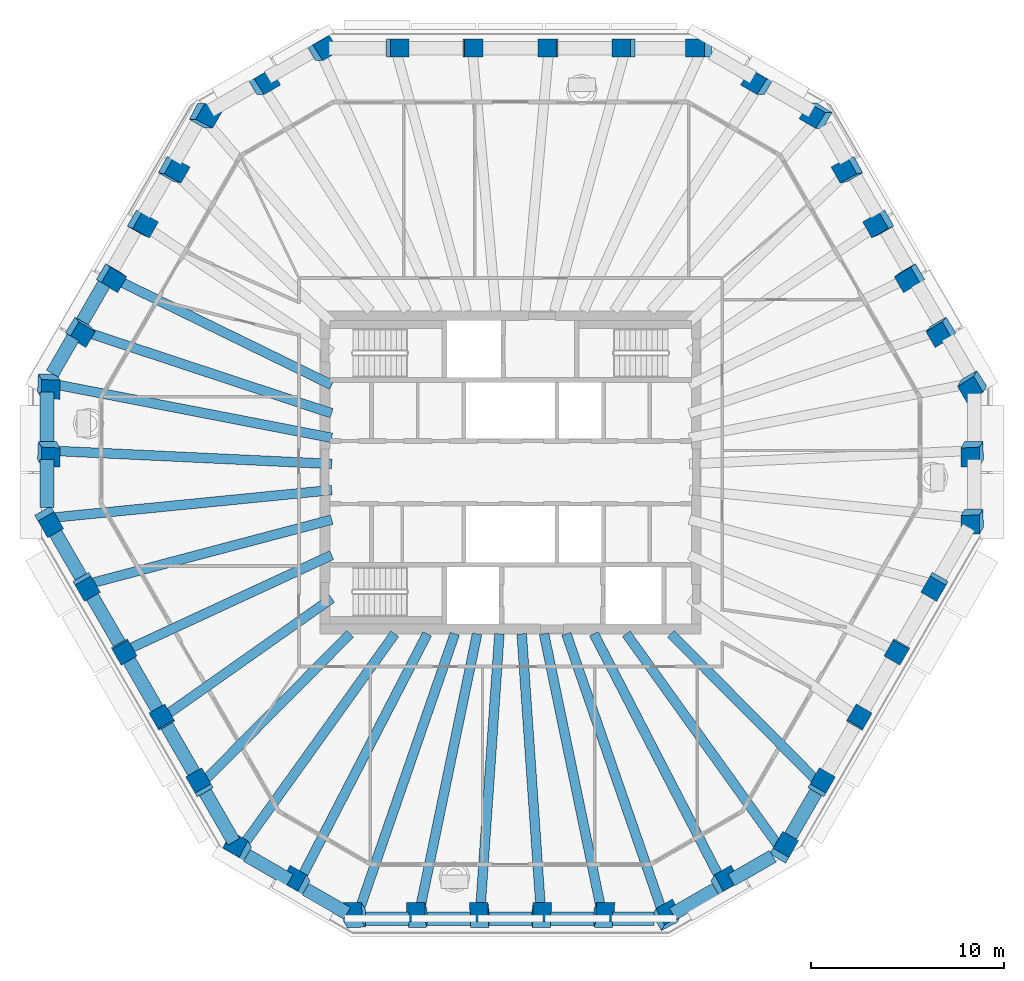
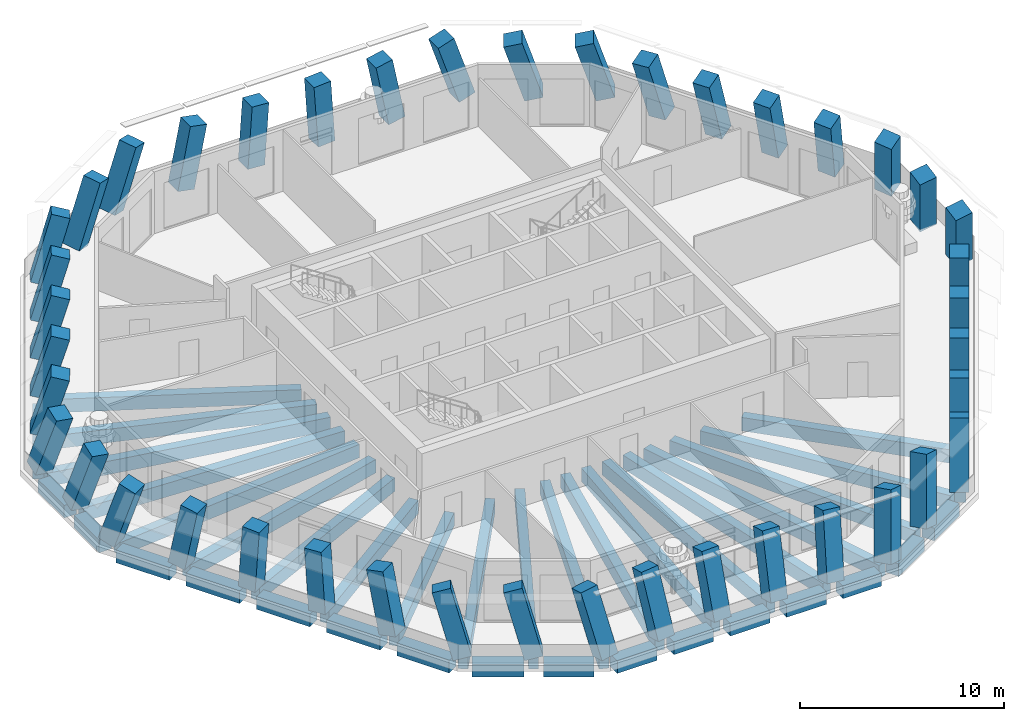
# One storey, part 1 of 11: 42 columns, 39 beams.
"""IFC4 building model written with IfcOpenShell, lengths in metres."""

from ifc_helpers import new_model, si_unit, direction, frame, origin, origin_2d, place, context, subcontext, project, spatial, rectangle, extrude, material, material_profile, profile_set, type_object, element, save


model = new_model("IFC4")

# Units and contexts
model_context = context("Model", 3, precision=1e-05, world=origin(), true_north=direction((0.0, 1.0)))
body_context = subcontext(model_context, "Body", "Model", "MODEL_VIEW")
ifc_project = project(units=[si_unit("LENGTHUNIT", "METRE"), si_unit("AREAUNIT", "SQUARE_METRE"), si_unit("VOLUMEUNIT", "CUBIC_METRE"), si_unit("PLANEANGLEUNIT", "RADIAN"), si_unit("MASSUNIT", "GRAM", prefix="KILO")], contexts=[model_context])

# Site, building, storey
site_placement = place(None, origin())
site = spatial("IfcSite", under=ifc_project, at=site_placement, CompositionType="ELEMENT")
building_placement = place(site_placement, origin())
building = spatial("IfcBuilding", under=site, at=building_placement, Name="Frailejon Research Tower", CompositionType="ELEMENT")
storey_placement = place(building_placement, frame((0.0, 0.0, 299.0)))
storey = spatial("IfcBuildingStorey", under=building, at=storey_placement, Name="L66", CompositionType="ELEMENT", Elevation=299.0)

# Columns
ifc_material_1 = material(Name="Concrete C50/60", Category="concrete")
ifc_material_profile_1 = material_profile(ifc_material_1, rectangle(XDim=0.949951171875, YDim=0.949951171875, at=origin_2d()), Name="Column 950")
ifc_profile_set_1 = profile_set([ifc_material_profile_1], Name="Concrete C50/60")
column_type = type_object("IfcColumnType", Name="Column 950", PredefinedType="COLUMN", material=ifc_profile_set_1)
for number, where, z_axis, x_axis, name in (
    (1, (23.97705078125, -2.37060546875, 0.0), (-0.155252897451, -0.268871239651, 0.950581292853), (-0.043271278132, 0.963176127262, 0.265366434128), "Column C01"),
    (2, (23.97705078125, 1.13134765625, 0.0), (-0.155252897451, -0.268871239651, 0.950581292853), (-0.043307450852, 0.963176129035, 0.26536052675), "Column C02"),
    (3, (23.97705078125, 4.63330078125, 0.0), (-0.155252897451, -0.268871239651, 0.950581292853), (-0.53050397416, 0.834418349942, 0.149370514765), "Column C03"),
):
    element("IfcColumn", number, at=place(storey_placement, frame(where, z_axis=z_axis, x_axis=x_axis)), inside=storey, type_object=column_type, Name=name, PredefinedType="COLUMN", context=body_context, shape_type="SweptSolid", body=[
        extrude(rectangle(XDim=0.949951171875, YDim=0.949951171875, at=origin_2d()), origin(), (0.0, 0.0, 1.0), 3.8291015625),
    ])
column_1_placement = place(storey_placement, frame((22.3818359375, 7.396240234375, 0.0), z_axis=(-0.187758226885, -0.216738021658, 0.958003903022), x_axis=(-0.519767268221, 0.849519403482, 0.090325909867)))
element("IfcColumn", 4, at=column_1_placement, inside=storey, type_object=column_type, Name="Column C04", PredefinedType="COLUMN", context=body_context, shape_type="SweptSolid", body=[
    extrude(rectangle(XDim=0.949951171875, YDim=0.949951171875, at=origin_2d()), origin(), (0.0, 0.0, 1.0), 3.799560546875),
])
for number, where, z_axis, x_axis, name in (
    (5, (20.78662109375, 10.1591796875, 0.0), (-0.219889345571, -0.163212191256, 0.961774639055), (-0.5071044007, 0.861354244698, 0.030232299479), "Column C05"),
    (6, (19.19140625, 12.922119140625, 0.0), (-0.251285171955, -0.108787308186, 0.961780164036), (-0.492312585275, 0.869893259925, -0.03023300706), "Column C06"),
):
    element("IfcColumn", number, at=place(storey_placement, frame(where, z_axis=z_axis, x_axis=x_axis)), inside=storey, type_object=column_type, Name=name, PredefinedType="COLUMN", context=body_context, shape_type="SweptSolid", body=[
        extrude(rectangle(XDim=0.949951171875, YDim=0.949951171875, at=origin_2d()), origin(), (0.0, 0.0, 1.0), 3.794921875),
    ])
column_2_placement = place(storey_placement, frame((17.59619140625, 15.68505859375, 0.0), z_axis=(-0.281574618215, -0.054168736457, 0.958009124366), x_axis=(-0.47558599124, 0.875021577667, -0.090306165648)))
element("IfcColumn", 7, at=column_2_placement, inside=storey, type_object=column_type, Name="Column C07", PredefinedType="COLUMN", context=body_context, shape_type="SweptSolid", body=[
    extrude(rectangle(XDim=0.949951171875, YDim=0.949951171875, at=origin_2d()), origin(), (0.0, 0.0, 1.0), 3.79931640625),
])
for number, where, z_axis, x_axis, name in (
    (8, (16.001220703125, 18.447998046875, 0.0), (-0.310502900564, 0.0, 0.950572432138), (-0.812458496248, 0.519114908233, -0.265388213611), "Column C08"),
    (9, (12.96826171875, 20.198974609375, 0.0), (-0.310445287626, 0.0, 0.950591249376), (-0.812474579426, 0.519114908233, -0.265338971576), "Column C09"),
    (10, (9.935546875, 21.949951171875, 0.0), (-0.310502900564, 0.0, 0.950572432138), (-0.950572432138, 0.0, -0.310502900564), "Column C10"),
):
    element("IfcColumn", number, at=place(storey_placement, frame(where, z_axis=z_axis, x_axis=x_axis)), inside=storey, type_object=column_type, Name=name, PredefinedType="COLUMN", context=body_context, shape_type="SweptSolid", body=[
        extrude(rectangle(XDim=0.949951171875, YDim=0.949951171875, at=origin_2d()), origin(), (0.0, 0.0, 1.0), 3.8291015625),
    ])
column_3_placement = place(storey_placement, frame((5.961181640625, 21.949951171875, 0.0), z_axis=(-0.192266559701, 0.0, 0.981342738303), x_axis=(-0.981342738303, 0.0, -0.192266559701)))
element("IfcColumn", 11, at=column_3_placement, inside=storey, type_object=column_type, Name="Column C11", PredefinedType="COLUMN", context=body_context, shape_type="SweptSolid", body=[
    extrude(rectangle(XDim=0.949951171875, YDim=0.949951171875, at=origin_2d()), origin(), (0.0, 0.0, 1.0), 3.708984375),
])
for number, where, z_axis, x_axis, name in (
    (12, (1.987060546875, 21.949951171875, 0.0), (-0.065190698942, 0.0, 0.997872823947), (-0.997872823947, 0.0, -0.065190698942), "Column C12"),
    (13, (-1.987060546875, 21.949951171875, 0.0), (0.065190698942, 0.0, 0.997872823947), (-0.997872823947, 0.0, 0.065190698942), "Column C13"),
):
    element("IfcColumn", number, at=place(storey_placement, frame(where, z_axis=z_axis, x_axis=x_axis)), inside=storey, type_object=column_type, Name=name, PredefinedType="COLUMN", context=body_context, shape_type="SweptSolid", body=[
        extrude(rectangle(XDim=0.949951171875, YDim=0.949951171875, at=origin_2d()), origin(), (0.0, 0.0, 1.0), 3.647705078125),
    ])
column_4_placement = place(storey_placement, frame((-5.961181640625, 21.949951171875, 0.0), z_axis=(0.192266559701, 0.0, 0.981342738303), x_axis=(-0.981342738303, 0.0, 0.192266559701)))
element("IfcColumn", 14, at=column_4_placement, inside=storey, type_object=column_type, Name="Column C14", PredefinedType="COLUMN", context=body_context, shape_type="SweptSolid", body=[
    extrude(rectangle(XDim=0.949951171875, YDim=0.949951171875, at=origin_2d()), origin(), (0.0, 0.0, 1.0), 3.708984375),
])
for number, where, z_axis, x_axis, name in (
    (15, (-9.935546875, 21.949951171875, 0.0), (0.310502900564, 0.0, 0.950572432138), (-0.812458496248, -0.519114908233, 0.265388213611), "Column C15"),
    (16, (-12.96826171875, 20.198974609375, 0.0), (0.310445287626, 0.0, 0.950591249376), (-0.812474579426, -0.519114908233, 0.265338971576), "Column C16"),
    (17, (-16.001220703125, 18.447998046875, 0.0), (0.310502900564, 0.0, 0.950572432138), (-0.457344112796, -0.876652031075, 0.149390692154), "Column C17"),
):
    element("IfcColumn", number, at=place(storey_placement, frame(where, z_axis=z_axis, x_axis=x_axis)), inside=storey, type_object=column_type, Name=name, PredefinedType="COLUMN", context=body_context, shape_type="SweptSolid", body=[
        extrude(rectangle(XDim=0.949951171875, YDim=0.949951171875, at=origin_2d()), origin(), (0.0, 0.0, 1.0), 3.8291015625),
    ])
column_5_placement = place(storey_placement, frame((-17.59619140625, 15.68505859375, 0.0), z_axis=(0.281574618215, -0.054168736457, 0.958009124366), x_axis=(-0.47558599124, -0.875021577667, 0.090306165648)))
element("IfcColumn", 18, at=column_5_placement, inside=storey, type_object=column_type, Name="Column C18", PredefinedType="COLUMN", context=body_context, shape_type="SweptSolid", body=[
    extrude(rectangle(XDim=0.949951171875, YDim=0.949951171875, at=origin_2d()), origin(), (0.0, 0.0, 1.0), 3.79931640625),
])
for number, where, z_axis, x_axis, name in (
    (19, (-19.19140625, 12.922119140625, 0.0), (0.251285171955, -0.108787308186, 0.961780164036), (-0.492312585275, -0.869893259925, 0.03023300706), "Column C19"),
    (20, (-20.78662109375, 10.1591796875, 0.0), (0.219889345571, -0.163212191256, 0.961774639055), (-0.5071044007, -0.861354244698, -0.030232299479), "Column C20"),
):
    element("IfcColumn", number, at=place(storey_placement, frame(where, z_axis=z_axis, x_axis=x_axis)), inside=storey, type_object=column_type, Name=name, PredefinedType="COLUMN", context=body_context, shape_type="SweptSolid", body=[
        extrude(rectangle(XDim=0.949951171875, YDim=0.949951171875, at=origin_2d()), origin(), (0.0, 0.0, 1.0), 3.794921875),
    ])
column_6_placement = place(storey_placement, frame((-22.3818359375, 7.396240234375, 0.0), z_axis=(0.187758226885, -0.216738021658, 0.958003903022), x_axis=(-0.519767268221, -0.849519403482, -0.090325909867)))
element("IfcColumn", 21, at=column_6_placement, inside=storey, type_object=column_type, Name="Column C21", PredefinedType="COLUMN", context=body_context, shape_type="SweptSolid", body=[
    extrude(rectangle(XDim=0.949951171875, YDim=0.949951171875, at=origin_2d()), origin(), (0.0, 0.0, 1.0), 3.799560546875),
])
for number, where, z_axis, x_axis, name in (
    (22, (-23.97705078125, 4.63330078125, 0.0), (0.155252897451, -0.268871239651, 0.950581292853), (-0.043307450852, -0.963176129035, -0.26536052675), "Column C22"),
    (23, (-23.97705078125, 1.13134765625, 0.0), (0.155252897451, -0.268871239651, 0.950581292853), (-0.043307450852, -0.963176129035, -0.26536052675), "Column C23"),
    (24, (-23.97705078125, -2.37060546875, 0.0), (0.155252897451, -0.268871239651, 0.950581292853), (0.475345673874, -0.823195775415, -0.310475773077), "Column C24"),
):
    element("IfcColumn", number, at=place(storey_placement, frame(where, z_axis=z_axis, x_axis=x_axis)), inside=storey, type_object=column_type, Name=name, PredefinedType="COLUMN", context=body_context, shape_type="SweptSolid", body=[
        extrude(rectangle(XDim=0.949951171875, YDim=0.949951171875, at=origin_2d()), origin(), (0.0, 0.0, 1.0), 3.8291015625),
    ])
column_7_placement = place(storey_placement, frame((-21.989990234375, -5.8125, 0.0), z_axis=(0.096165528476, -0.166528943905, 0.981335978131), x_axis=(0.490749060083, -0.849815075181, -0.192301060902)))
element("IfcColumn", 25, at=column_7_placement, inside=storey, type_object=column_type, Name="Column C25", PredefinedType="COLUMN", context=body_context, shape_type="SweptSolid", body=[
    extrude(rectangle(XDim=0.949951171875, YDim=0.949951171875, at=origin_2d()), origin(), (0.0, 0.0, 1.0), 3.709228515625),
])
for number, where, z_axis, x_axis, name in (
    (26, (-20.002685546875, -9.254150390625, 0.0), (0.032528551975, -0.05642298213, 0.997876916455), (0.498550874941, -0.864410415038, -0.065128023684), "Column C26"),
    (27, (-18.015625, -12.69580078125, 0.0), (-0.032595412113, 0.056422859161, 0.997874741675), (0.499318800947, -0.863964545124, 0.065161336616), "Column C27"),
):
    element("IfcColumn", number, at=place(storey_placement, frame(where, z_axis=z_axis, x_axis=x_axis)), inside=storey, type_object=column_type, Name=name, PredefinedType="COLUMN", context=body_context, shape_type="SweptSolid", body=[
        extrude(rectangle(XDim=0.949951171875, YDim=0.949951171875, at=origin_2d()), origin(), (0.0, 0.0, 1.0), 3.647705078125),
    ])
column_8_placement = place(storey_placement, frame((-16.028564453125, -16.1376953125, 0.0), z_axis=(-0.096165528476, 0.166528943905, 0.981335978131), x_axis=(0.490749060083, -0.849815075181, 0.192301060902)))
element("IfcColumn", 28, at=column_8_placement, inside=storey, type_object=column_type, Name="Column C28", PredefinedType="COLUMN", context=body_context, shape_type="SweptSolid", body=[
    extrude(rectangle(XDim=0.949951171875, YDim=0.949951171875, at=origin_2d()), origin(), (0.0, 0.0, 1.0), 3.709228515625),
])
for number, where, z_axis, x_axis, name in (
    (29, (-14.04150390625, -19.579345703125, 0.0), (-0.155252897451, 0.268871239651, 0.950581292853), (0.85582968957, -0.444002072432, 0.265363339832), "Column C29"),
    (30, (-11.0087890625, -21.330322265625, 0.0), (-0.155190674447, 0.268873900634, 0.950590700629), (0.855754726117, -0.444161245907, 0.265338720059), "Column C30"),
    (31, (-7.975830078125, -23.081298828125, 0.0), (-0.155252897451, 0.268871239651, 0.950581292853), (0.987874757916, 0.042277304746, 0.149385716105), "Column C31"),
):
    element("IfcColumn", number, at=place(storey_placement, frame(where, z_axis=z_axis, x_axis=x_axis)), inside=storey, type_object=column_type, Name=name, PredefinedType="COLUMN", context=body_context, shape_type="SweptSolid", body=[
        extrude(rectangle(XDim=0.949951171875, YDim=0.949951171875, at=origin_2d()), origin(), (0.0, 0.0, 1.0), 3.8291015625),
    ])
column_9_placement = place(storey_placement, frame((-4.78564453125, -23.081298828125, 0.0), z_axis=(-0.093814958179, 0.270971012766, 0.958004939373), x_axis=(0.995589636542, 0.025368498159, 0.090320069261)))
element("IfcColumn", 32, at=column_9_placement, inside=storey, type_object=column_type, Name="Column C32", PredefinedType="COLUMN", context=body_context, shape_type="SweptSolid", body=[
    extrude(rectangle(XDim=0.949951171875, YDim=0.949951171875, at=origin_2d()), origin(), (0.0, 0.0, 1.0), 3.799560546875),
])
for number, where, z_axis, x_axis, name in (
    (33, (-1.59521484375, -23.081298828125, 0.0), (-0.031394705428, 0.272001669159, 0.961784520797), (0.999507064551, 0.008524757879, 0.030215168641), "Column C33"),
    (34, (1.59521484375, -23.081298828125, 0.0), (0.031394705428, 0.272001669159, 0.961784520797), (0.999507064551, -0.008524757879, -0.030215168641), "Column C34"),
):
    element("IfcColumn", number, at=place(storey_placement, frame(where, z_axis=z_axis, x_axis=x_axis)), inside=storey, type_object=column_type, Name=name, PredefinedType="COLUMN", context=body_context, shape_type="SweptSolid", body=[
        extrude(rectangle(XDim=0.949951171875, YDim=0.949951171875, at=origin_2d()), origin(), (0.0, 0.0, 1.0), 3.794921875),
    ])
column_10_placement = place(storey_placement, frame((4.78564453125, -23.081298828125, 0.0), z_axis=(0.093814958179, 0.270971012766, 0.958004939373), x_axis=(0.995589636542, -0.025368498159, -0.090320069261)))
element("IfcColumn", 35, at=column_10_placement, inside=storey, type_object=column_type, Name="Column C35", PredefinedType="COLUMN", context=body_context, shape_type="SweptSolid", body=[
    extrude(rectangle(XDim=0.949951171875, YDim=0.949951171875, at=origin_2d()), origin(), (0.0, 0.0, 1.0), 3.799560546875),
])
for number, where, z_axis, x_axis, name in (
    (36, (7.975830078125, -23.081298828125, 0.0), (0.155252897451, 0.268871239651, 0.950581292853), (0.855809020967, 0.444037875062, -0.265370090897), "Column C36"),
    (37, (11.0087890625, -21.330322265625, 0.0), (0.155190674447, 0.268873900634, 0.950590700629), (0.855754726117, 0.444161245907, -0.265338720059), "Column C37"),
    (38, (14.04150390625, -19.579345703125, 0.0), (0.155252897451, 0.268871239651, 0.950581292853), (0.475345673874, 0.823195775415, -0.310475773077), "Column C38"),
):
    element("IfcColumn", number, at=place(storey_placement, frame(where, z_axis=z_axis, x_axis=x_axis)), inside=storey, type_object=column_type, Name=name, PredefinedType="COLUMN", context=body_context, shape_type="SweptSolid", body=[
        extrude(rectangle(XDim=0.949951171875, YDim=0.949951171875, at=origin_2d()), origin(), (0.0, 0.0, 1.0), 3.8291015625),
    ])
column_11_placement = place(storey_placement, frame((16.028564453125, -16.1376953125, 0.0), z_axis=(0.096165528476, 0.166528943905, 0.981335978131), x_axis=(0.490749060083, 0.849815075181, -0.192301060902)))
element("IfcColumn", 39, at=column_11_placement, inside=storey, type_object=column_type, Name="Column C39", PredefinedType="COLUMN", context=body_context, shape_type="SweptSolid", body=[
    extrude(rectangle(XDim=0.949951171875, YDim=0.949951171875, at=origin_2d()), origin(), (0.0, 0.0, 1.0), 3.709228515625),
])
for number, where, z_axis, x_axis, name in (
    (40, (18.015625, -12.69580078125, 0.0), (0.032595412113, 0.056422859161, 0.997874741675), (0.499318800947, 0.863964545124, -0.065161336616), "Column C40"),
    (41, (20.002685546875, -9.254150390625, 0.0), (-0.032528551975, -0.05642298213, 0.997876916455), (0.498550874941, 0.864410415038, 0.065128023684), "Column C41"),
):
    element("IfcColumn", number, at=place(storey_placement, frame(where, z_axis=z_axis, x_axis=x_axis)), inside=storey, type_object=column_type, Name=name, PredefinedType="COLUMN", context=body_context, shape_type="SweptSolid", body=[
        extrude(rectangle(XDim=0.949951171875, YDim=0.949951171875, at=origin_2d()), origin(), (0.0, 0.0, 1.0), 3.647705078125),
    ])
column_12_placement = place(storey_placement, frame((21.989990234375, -5.8125, 0.0), z_axis=(-0.096165528476, -0.166528943905, 0.981335978131), x_axis=(0.490749060083, 0.849815075181, 0.192301060902)))
element("IfcColumn", 42, at=column_12_placement, inside=storey, type_object=column_type, Name="Column C42", PredefinedType="COLUMN", context=body_context, shape_type="SweptSolid", body=[
    extrude(rectangle(XDim=0.949951171875, YDim=0.949951171875, at=origin_2d()), origin(), (0.0, 0.0, 1.0), 3.709228515625),
])

# Beams
ifc_material_2 = material(Name="Concrete C60/75", Category="concrete")
ifc_material_profile_2 = material_profile(ifc_material_2, rectangle(XDim=0.5, YDim=0.800048828125, at=origin_2d()), Name="Girder 500x800")
ifc_profile_set_2 = profile_set([ifc_material_profile_2], Name="Concrete C60/75")
beam_type_1 = type_object("IfcBeamType", Name="Girder 500x800", PredefinedType="BEAM", material=ifc_profile_set_2)
beam_1_placement = place(storey_placement, frame((-20.49365234375, 10.01611328125, -0.699951171875), z_axis=(0.898432764526, -0.439111110798, 0.0), x_axis=(0.439111110798, 0.898432764526, 0.0)))
element("IfcBeam", 43, at=beam_1_placement, inside=storey, type_object=beam_type_1, Name="Girder 500x800", PredefinedType="BEAM", context=body_context, shape_type="SweptSolid", body=[
    extrude(rectangle(XDim=0.5, YDim=0.800048828125, at=origin_2d()), origin(), (0.0, 0.0, 1.0), 12.5146484375),
])
beam_2_placement = place(storey_placement, frame((-22.063720703125, 7.291259765625, -0.699951171875), z_axis=(0.949499629015, -0.313768154056, 0.0), x_axis=(0.313768154056, 0.949499629015, 0.0)))
element("IfcBeam", 44, at=beam_2_placement, inside=storey, type_object=beam_type_1, Name="Girder 500x800", PredefinedType="BEAM", context=body_context, shape_type="SweptSolid", body=[
    extrude(rectangle(XDim=0.5, YDim=0.800048828125, at=origin_2d()), origin(), (0.0, 0.0, 1.0), 13.4951171875),
])
beam_3_placement = place(storey_placement, frame((-23.6494140625, 4.570068359375, -0.699951171875), z_axis=(0.981837210225, -0.189725308324, 0.0), x_axis=(0.189725308324, 0.981837210225, 0.0)))
element("IfcBeam", 45, at=beam_3_placement, inside=storey, type_object=beam_type_1, Name="Girder 500x800", PredefinedType="BEAM", context=body_context, shape_type="SweptSolid", body=[
    extrude(rectangle(XDim=0.5, YDim=0.800048828125, at=origin_2d()), origin(), (0.0, 0.0, 1.0), 14.665771484375),
])
beam_4_placement = place(storey_placement, frame((-23.65185546875, 1.115966796875, -0.699951171875), z_axis=(0.998888199333, -0.047141968926, 0.0), x_axis=(0.047141968926, 0.998888199333, 0.0)))
element("IfcBeam", 46, at=beam_4_placement, inside=storey, type_object=beam_type_1, Name="Girder 500x800", PredefinedType="BEAM", context=body_context, shape_type="SweptSolid", body=[
    extrude(rectangle(XDim=0.5, YDim=0.800048828125, at=origin_2d()), origin(), (0.0, 0.0, 1.0), 14.41796875),
])
beam_5_placement = place(storey_placement, frame((-23.607421875, -2.333984375, -0.699951171875), z_axis=(0.995148480492, 0.098384459012, 0.0), x_axis=(-0.098384459012, 0.995148480492, 0.0)))
element("IfcBeam", 47, at=beam_5_placement, inside=storey, type_object=beam_type_1, Name="Girder 500x800", PredefinedType="BEAM", context=body_context, shape_type="SweptSolid", body=[
    extrude(rectangle(XDim=0.5, YDim=0.800048828125, at=origin_2d()), origin(), (0.0, 0.0, 1.0), 14.427490234375),
])
beam_6_placement = place(storey_placement, frame((-21.6591796875, -5.72509765625, -0.699951171875), z_axis=(0.966796780145, 0.255546445684, 0.0), x_axis=(-0.255546445684, 0.966796780145, 0.0)))
element("IfcBeam", 48, at=beam_6_placement, inside=storey, type_object=beam_type_1, Name="Girder 500x800", PredefinedType="BEAM", context=body_context, shape_type="SweptSolid", body=[
    extrude(rectangle(XDim=0.5, YDim=0.800048828125, at=origin_2d()), origin(), (0.0, 0.0, 1.0), 12.83544921875),
])
beam_7_placement = place(storey_placement, frame((-19.7060546875, -9.11669921875, -0.699951171875), z_axis=(0.907578187598, 0.419883118732, 0.0), x_axis=(-0.419883118732, 0.907578187598, 0.0)))
element("IfcBeam", 49, at=beam_7_placement, inside=storey, type_object=beam_type_1, Name="Girder 500x800", PredefinedType="BEAM", context=body_context, shape_type="SweptSolid", body=[
    extrude(rectangle(XDim=0.5, YDim=0.800048828125, at=origin_2d()), origin(), (0.0, 0.0, 1.0), 11.520751953125),
])
beam_8_placement = place(storey_placement, frame((-17.74853515625, -12.507568359375, -0.699951171875), z_axis=(0.817418603613, 0.576044118507, 0.0), x_axis=(-0.576044118507, 0.817418603613, 0.0)))
element("IfcBeam", 50, at=beam_8_placement, inside=storey, type_object=beam_type_1, Name="Girder 500x800", PredefinedType="BEAM", context=body_context, shape_type="SweptSolid", body=[
    extrude(rectangle(XDim=0.5, YDim=0.800048828125, at=origin_2d()), origin(), (0.0, 0.0, 1.0), 10.396728515625),
])
beam_9_placement = place(storey_placement, frame((-15.787353515625, -15.894775390625, -0.699951171875), z_axis=(0.704703495574, 0.709501926231, 0.0), x_axis=(-0.709501926231, 0.704703495574, 0.0)))
element("IfcBeam", 51, at=beam_9_placement, inside=storey, type_object=beam_type_1, Name="Girder 500x800", PredefinedType="BEAM", context=body_context, shape_type="SweptSolid", body=[
    extrude(rectangle(XDim=0.5, YDim=0.800048828125, at=origin_2d()), origin(), (0.0, 0.0, 1.0), 10.6337890625),
])
beam_10_placement = place(storey_placement, frame((-13.8505859375, -19.3134765625, -0.699951171875), z_axis=(0.582774366885, 0.812634011903, 0.0), x_axis=(-0.812634011903, 0.582774366885, 0.0)))
element("IfcBeam", 52, at=beam_10_placement, inside=storey, type_object=beam_type_1, Name="Girder 500x800", PredefinedType="BEAM", context=body_context, shape_type="SweptSolid", body=[
    extrude(rectangle(XDim=0.5, YDim=0.800048828125, at=origin_2d()), origin(), (0.0, 0.0, 1.0), 13.4912109375),
])
beam_11_placement = place(storey_placement, frame((-10.859375, -21.041015625, -0.699951171875), z_axis=(0.458623759816, 0.888630545802, 0.0), x_axis=(-0.888630545802, 0.458623759816, 0.0)))
element("IfcBeam", 53, at=beam_11_placement, inside=storey, type_object=beam_type_1, Name="Girder 500x800", PredefinedType="BEAM", context=body_context, shape_type="SweptSolid", body=[
    extrude(rectangle(XDim=0.5, YDim=0.800048828125, at=origin_2d()), origin(), (0.0, 0.0, 1.0), 14.281494140625),
])
beam_12_placement = place(storey_placement, frame((-7.86083984375, -22.748046875, -0.699951171875), z_axis=(0.326608502459, 0.94515971461, 0.0), x_axis=(-0.94515971461, 0.326608502459, 0.0)))
element("IfcBeam", 54, at=beam_12_placement, inside=storey, type_object=beam_type_1, Name="Girder 500x800", PredefinedType="BEAM", context=body_context, shape_type="SweptSolid", body=[
    extrude(rectangle(XDim=0.5, YDim=0.800048828125, at=origin_2d()), origin(), (0.0, 0.0, 1.0), 15.2333984375),
])
beam_13_placement = place(storey_placement, frame((-4.717529296875, -22.753173828125, -0.699951171875), z_axis=(0.203021604012, 0.979174258395, 0.0), x_axis=(-0.979174258395, 0.203021604012, 0.0)))
element("IfcBeam", 55, at=beam_13_placement, inside=storey, type_object=beam_type_1, Name="Girder 500x800", PredefinedType="BEAM", context=body_context, shape_type="SweptSolid", body=[
    extrude(rectangle(XDim=0.5, YDim=0.800048828125, at=origin_2d()), origin(), (0.0, 0.0, 1.0), 14.70947265625),
])
for number, where, z_axis, x_axis, name in (
    (56, (-1.57275390625, -22.755859375, -0.699951171875), (0.068947151801, 0.997620313676, 0.0), (-0.997620313676, 0.068947151801, 0.0), "Girder 500x800"),
    (57, (1.57275390625, -22.755859375, -0.699951171875), (-0.068947151801, 0.997620313676, 0.0), (-0.997620313676, -0.068947151801, 0.0), "Girder 500x800"),
):
    element("IfcBeam", number, at=place(storey_placement, frame(where, z_axis=z_axis, x_axis=x_axis)), inside=storey, type_object=beam_type_1, Name=name, PredefinedType="BEAM", context=body_context, shape_type="SweptSolid", body=[
        extrude(rectangle(XDim=0.5, YDim=0.800048828125, at=origin_2d()), origin(), (0.0, 0.0, 1.0), 14.440185546875),
    ])
beam_14_placement = place(storey_placement, frame((4.717529296875, -22.753173828125, -0.699951171875), z_axis=(-0.203021604012, 0.979174258395, 0.0), x_axis=(-0.979174258395, -0.203021604012, 0.0)))
element("IfcBeam", 58, at=beam_14_placement, inside=storey, type_object=beam_type_1, Name="Girder 500x800", PredefinedType="BEAM", context=body_context, shape_type="SweptSolid", body=[
    extrude(rectangle(XDim=0.5, YDim=0.800048828125, at=origin_2d()), origin(), (0.0, 0.0, 1.0), 14.70947265625),
])
beam_15_placement = place(storey_placement, frame((7.866943359375, -22.765869140625, -0.699951171875), z_axis=(-0.326605273487, 0.945160830404, 0.0), x_axis=(-0.945160830404, -0.326605273487, 0.0)))
element("IfcBeam", 59, at=beam_15_placement, inside=storey, type_object=beam_type_1, Name="Girder 500x800", PredefinedType="BEAM", context=body_context, shape_type="SweptSolid", body=[
    extrude(rectangle(XDim=0.5, YDim=0.800048828125, at=origin_2d()), origin(), (0.0, 0.0, 1.0), 15.252197265625),
])
beam_16_placement = place(storey_placement, frame((10.859375, -21.041015625, -0.699951171875), z_axis=(-0.458623759816, 0.888630545802, 0.0), x_axis=(-0.888630545802, -0.458623759816, 0.0)))
element("IfcBeam", 60, at=beam_16_placement, inside=storey, type_object=beam_type_1, Name="Girder 500x800", PredefinedType="BEAM", context=body_context, shape_type="SweptSolid", body=[
    extrude(rectangle(XDim=0.5, YDim=0.800048828125, at=origin_2d()), origin(), (0.0, 0.0, 1.0), 14.281494140625),
])
beam_17_placement = place(storey_placement, frame((13.8251953125, -19.277587890625, -0.699951171875), z_axis=(-0.582791391057, 0.812621802876, 0.0), x_axis=(-0.812621802876, -0.582791391057, 0.0)))
element("IfcBeam", 61, at=beam_17_placement, inside=storey, type_object=beam_type_1, Name="Girder 500x800", PredefinedType="BEAM", context=body_context, shape_type="SweptSolid", body=[
    extrude(rectangle(XDim=0.5, YDim=0.800048828125, at=origin_2d()), origin(), (0.0, 0.0, 1.0), 13.447265625),
])
beam_18_placement = place(storey_placement, frame((15.787353515625, -15.894775390625, -0.699951171875), z_axis=(-0.704703495574, 0.709501926231, 0.0), x_axis=(-0.709501926231, -0.704703495574, 0.0)))
element("IfcBeam", 62, at=beam_18_placement, inside=storey, type_object=beam_type_1, Name="Girder 500x800", PredefinedType="BEAM", context=body_context, shape_type="SweptSolid", body=[
    extrude(rectangle(XDim=0.5, YDim=0.800048828125, at=origin_2d()), origin(), (0.0, 0.0, 1.0), 10.6337890625),
])
ifc_material_3 = material(Name="Concrete C60/75", Category="concrete")
ifc_material_profile_3 = material_profile(ifc_material_3, rectangle(XDim=0.699951171875, YDim=0.75, at=origin_2d()), Name="Spandrel 700x750")
ifc_profile_set_3 = profile_set([ifc_material_profile_3], Name="Concrete C60/75")
beam_type_2 = type_object("IfcBeamType", Name="Spandrel 700x750", PredefinedType="BEAM", material=ifc_profile_set_3)
beam_19_placement = place(storey_placement, frame((-21.024169921875, 9.747802734375, -0.72509765625), z_axis=(-0.499983441833, -0.866034963436, 0.0), x_axis=(0.866034963436, -0.499983441833, 0.0)))
element("IfcBeam", 63, at=beam_19_placement, inside=storey, type_object=beam_type_2, Name="Spandrel 700x750", PredefinedType="BEAM", context=body_context, shape_type="SweptSolid", body=[
    extrude(rectangle(XDim=0.699951171875, YDim=0.75, at=origin_2d()), origin(), (0.0, 0.0, 1.0), 2.240234375),
])
beam_20_placement = place(storey_placement, frame((-22.619384765625, 6.98486328125, -0.72509765625), z_axis=(-0.500041054325, -0.866001699761, 0.0), x_axis=(0.866001699761, -0.500041054325, 0.0)))
element("IfcBeam", 64, at=beam_20_placement, inside=storey, type_object=beam_type_2, Name="Spandrel 700x750", PredefinedType="BEAM", context=body_context, shape_type="SweptSolid", body=[
    extrude(rectangle(XDim=0.699951171875, YDim=0.75, at=origin_2d()), origin(), (0.0, 0.0, 1.0), 2.166748046875),
])
beam_21_placement = place(storey_placement, frame((-23.97705078125, 4.158203125, -0.72509765625), z_axis=(0.0, -1.0, 0.0), x_axis=(1.0, 0.0, 0.0)))
element("IfcBeam", 65, at=beam_21_placement, inside=storey, type_object=beam_type_2, Name="Spandrel 700x750", PredefinedType="BEAM", context=body_context, shape_type="SweptSolid", body=[
    extrude(rectangle(XDim=0.699951171875, YDim=0.75, at=origin_2d()), origin(), (0.0, 0.0, 1.0), 2.552001953125),
])
beam_22_placement = place(storey_placement, frame((-23.97705078125, 0.65625, -0.72509765625), z_axis=(0.0, -1.0, 0.0), x_axis=(1.0, 0.0, 0.0)))
element("IfcBeam", 66, at=beam_22_placement, inside=storey, type_object=beam_type_2, Name="Spandrel 700x750", PredefinedType="BEAM", context=body_context, shape_type="SweptSolid", body=[
    extrude(rectangle(XDim=0.699951171875, YDim=0.75, at=origin_2d()), origin(), (0.0, 0.0, 1.0), 2.478271484375),
])
for number, where, z_axis, x_axis, name in (
    (67, (-23.739501953125, -2.781982421875, -0.72509765625), (0.500046237564, -0.865998706869, 0.0), (0.865998706869, 0.500046237564, 0.0), "Spandrel 700x750"),
    (68, (-21.75244140625, -6.223876953125, -0.72509765625), (0.500046237564, -0.865998706869, 0.0), (0.865998706869, 0.500046237564, 0.0), "Spandrel 700x750"),
    (69, (-19.765380859375, -9.66552734375, -0.72509765625), (0.500046237564, -0.865998706869, 0.0), (0.865998706869, 0.500046237564, 0.0), "Spandrel 700x750"),
    (70, (-17.7783203125, -13.107421875, -0.72509765625), (0.500046237564, -0.865998706869, 0.0), (0.865998706869, 0.500046237564, 0.0), "Spandrel 700x750"),
):
    element("IfcBeam", number, at=place(storey_placement, frame(where, z_axis=z_axis, x_axis=x_axis)), inside=storey, type_object=beam_type_2, Name=name, PredefinedType="BEAM", context=body_context, shape_type="SweptSolid", body=[
        extrude(rectangle(XDim=0.699951171875, YDim=0.75, at=origin_2d()), origin(), (0.0, 0.0, 1.0), 3.024169921875),
    ])
beam_23_placement = place(storey_placement, frame((-15.791015625, -16.549072265625, -0.72509765625), z_axis=(0.499992226585, -0.866029891721, 0.0), x_axis=(0.866029891721, 0.499992226585, 0.0)))
element("IfcBeam", 71, at=beam_23_placement, inside=storey, type_object=beam_type_2, Name="Spandrel 700x750", PredefinedType="BEAM", context=body_context, shape_type="SweptSolid", body=[
    extrude(rectangle(XDim=0.699951171875, YDim=0.75, at=origin_2d()), origin(), (0.0, 0.0, 1.0), 2.95068359375),
])
beam_24_placement = place(storey_placement, frame((-13.630126953125, -19.81689453125, -0.72509765625), z_axis=(0.865991210529, -0.500059219779, 0.0), x_axis=(0.500059219779, 0.865991210529, 0.0)))
element("IfcBeam", 72, at=beam_24_placement, inside=storey, type_object=beam_type_2, Name="Spandrel 700x750", PredefinedType="BEAM", context=body_context, shape_type="SweptSolid", body=[
    extrude(rectangle(XDim=0.699951171875, YDim=0.75, at=origin_2d()), origin(), (0.0, 0.0, 1.0), 2.552001953125),
])
beam_25_placement = place(storey_placement, frame((-10.597412109375, -21.56787109375, -0.72509765625), z_axis=(0.866028115054, -0.499995303914, 0.0), x_axis=(0.499995303914, 0.866028115054, 0.0)))
element("IfcBeam", 73, at=beam_25_placement, inside=storey, type_object=beam_type_2, Name="Spandrel 700x750", PredefinedType="BEAM", context=body_context, shape_type="SweptSolid", body=[
    extrude(rectangle(XDim=0.699951171875, YDim=0.75, at=origin_2d()), origin(), (0.0, 0.0, 1.0), 2.478515625),
])
beam_26_placement = place(storey_placement, frame((-7.5009765625, -23.081298828125, -0.72509765625), z_axis=(1.0, 0.0, 0.0), x_axis=(0.0, 1.0, 0.0)))
element("IfcBeam", 74, at=beam_26_placement, inside=storey, type_object=beam_type_2, Name="Spandrel 700x750", PredefinedType="BEAM", context=body_context, shape_type="SweptSolid", body=[
    extrude(rectangle(XDim=0.699951171875, YDim=0.75, at=origin_2d()), origin(), (0.0, 0.0, 1.0), 2.240478515625),
])
for number, where, z_axis, x_axis, name in (
    (75, (-4.310546875, -23.081298828125, -0.72509765625), (1.0, 0.0, 0.0), (0.0, 1.0, 0.0), "Spandrel 700x750"),
    (76, (-1.1201171875, -23.081298828125, -0.72509765625), (1.0, 0.0, 0.0), (0.0, 1.0, 0.0), "Spandrel 700x750"),
    (77, (2.0703125, -23.081298828125, -0.72509765625), (1.0, 0.0, 0.0), (0.0, 1.0, 0.0), "Spandrel 700x750"),
):
    element("IfcBeam", number, at=place(storey_placement, frame(where, z_axis=z_axis, x_axis=x_axis)), inside=storey, type_object=beam_type_2, Name=name, PredefinedType="BEAM", context=body_context, shape_type="SweptSolid", body=[
        extrude(rectangle(XDim=0.699951171875, YDim=0.75, at=origin_2d()), origin(), (0.0, 0.0, 1.0), 2.240234375),
    ])
beam_27_placement = place(storey_placement, frame((5.260498046875, -23.081298828125, -0.72509765625), z_axis=(1.0, 0.0, 0.0), x_axis=(0.0, 1.0, 0.0)))
element("IfcBeam", 78, at=beam_27_placement, inside=storey, type_object=beam_type_2, Name="Spandrel 700x750", PredefinedType="BEAM", context=body_context, shape_type="SweptSolid", body=[
    extrude(rectangle(XDim=0.699951171875, YDim=0.75, at=origin_2d()), origin(), (0.0, 0.0, 1.0), 2.1669921875),
])
beam_28_placement = place(storey_placement, frame((8.38720703125, -22.84375, -0.72509765625), z_axis=(0.86605655258, 0.499946044823, 0.0), x_axis=(-0.499946044823, 0.86605655258, 0.0)))
element("IfcBeam", 79, at=beam_28_placement, inside=storey, type_object=beam_type_2, Name="Spandrel 700x750", PredefinedType="BEAM", context=body_context, shape_type="SweptSolid", body=[
    extrude(rectangle(XDim=0.699951171875, YDim=0.75, at=origin_2d()), origin(), (0.0, 0.0, 1.0), 2.552001953125),
])
beam_29_placement = place(storey_placement, frame((11.420166015625, -21.093017578125, -0.72509765625), z_axis=(0.865960827515, 0.500111832703, 0.0), x_axis=(-0.500111832703, 0.865960827515, 0.0)))
element("IfcBeam", 80, at=beam_29_placement, inside=storey, type_object=beam_type_2, Name="Spandrel 700x750", PredefinedType="BEAM", context=body_context, shape_type="SweptSolid", body=[
    extrude(rectangle(XDim=0.699951171875, YDim=0.75, at=origin_2d()), origin(), (0.0, 0.0, 1.0), 2.478515625),
])
beam_30_placement = place(storey_placement, frame((14.279052734375, -19.16796875, -0.72509765625), z_axis=(0.499985689571, 0.866033665757, 0.0), x_axis=(-0.866033665757, 0.499985689571, 0.0)))
element("IfcBeam", 81, at=beam_30_placement, inside=storey, type_object=beam_type_2, Name="Spandrel 700x750", PredefinedType="BEAM", context=body_context, shape_type="SweptSolid", body=[
    extrude(rectangle(XDim=0.699951171875, YDim=0.75, at=origin_2d()), origin(), (0.0, 0.0, 1.0), 3.02392578125),
])

save(model, "model.ifc")
